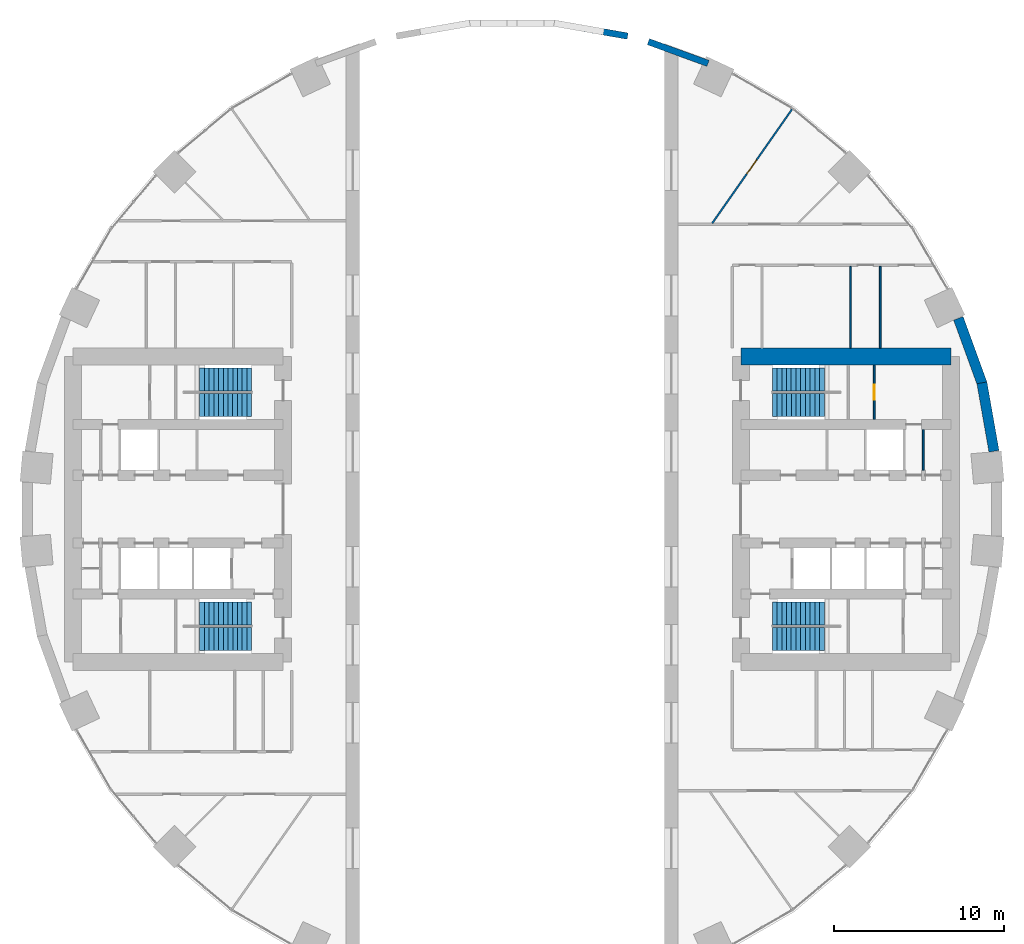
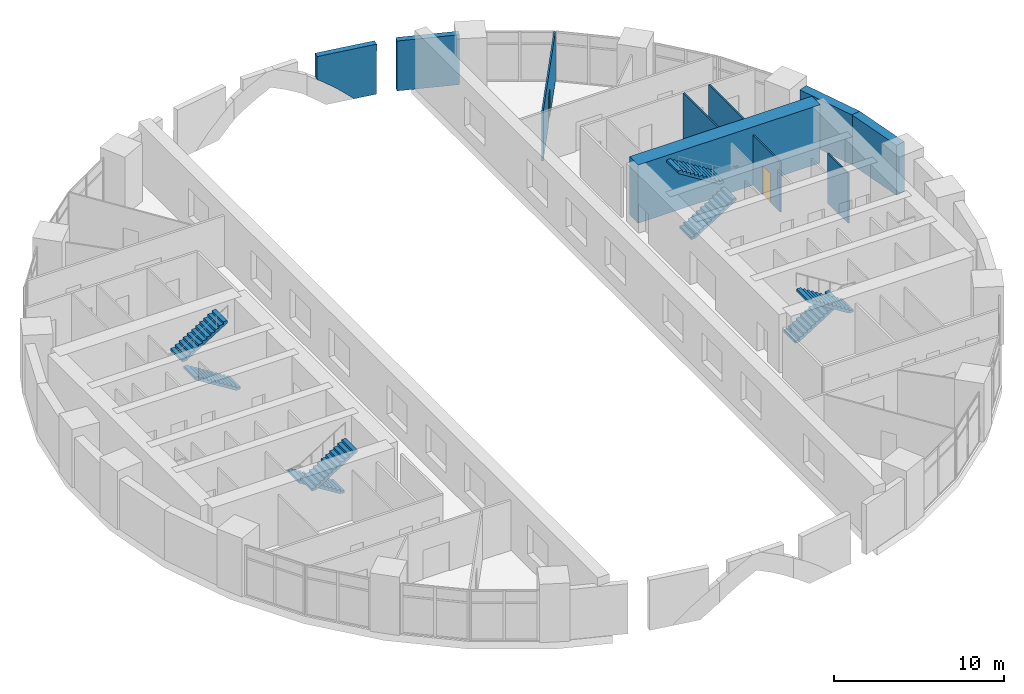
# One storey, part 14 of 15: 10 walls, 8 stair flights, 2 doors, 2 openings, 4 elements without a shape of their own.
"""IFC4 building model written with IfcOpenShell, lengths in metres."""

from ifc_helpers import new_model, si_unit, direction, frame, frame_2d, origin, place, context, subcontext, project, spatial, polyline, rectangle, outline, extrude, material, layer, layer_set, type_object, element, fill, aggregate, save


model = new_model("IFC4")

# Units and contexts
model_context = context("Model", 3, precision=1e-05, world=origin(), true_north=direction((0.0, 1.0)))
body_context = subcontext(model_context, "Body", "Model", "MODEL_VIEW")
ifc_project = project(units=[si_unit("LENGTHUNIT", "METRE"), si_unit("AREAUNIT", "SQUARE_METRE"), si_unit("VOLUMEUNIT", "CUBIC_METRE"), si_unit("PLANEANGLEUNIT", "RADIAN"), si_unit("MASSUNIT", "GRAM", prefix="KILO")], contexts=[model_context])

# Site, building, storey
site_placement = place(None, origin())
site = spatial("IfcSite", under=ifc_project, at=site_placement, CompositionType="ELEMENT")
building_placement = place(site_placement, origin())
building = spatial("IfcBuilding", under=site, at=building_placement, Name="Saqina Gate Tower", CompositionType="ELEMENT")
storey_placement = place(building_placement, frame((0.0, 0.0, 17.60009765625)))
storey = spatial("IfcBuildingStorey", under=building, at=storey_placement, Name="L04", CompositionType="ELEMENT", Elevation=17.60009765625)

# Wall
ifc_material_1 = material(Name="Gypsum board on steel studs", Category="steel")
ifc_layer_1 = layer(ifc_material_1, 0.10009765625)
ifc_layer_set_1 = layer_set([ifc_layer_1], Name="CORE PARTITION")
wall_type_1 = type_object("IfcWallType", Name="CORE PARTITION", PredefinedType="PARTITIONING", material=ifc_layer_set_1)
wall_1_placement = place(storey_placement, frame((24.260009765625, 2.300048828125, 0.0), z_axis=(0.0, 0.0, 1.0), x_axis=(0.0, 1.0, 0.0)))
element("IfcWall", 1, at=wall_1_placement, inside=storey, type_object=wall_type_1, Name="L04-CP-E04", PredefinedType="PARTITIONING", context=body_context, shape_type="SweptSolid", body=[
    extrude(rectangle(XDim=2.39990234375, YDim=0.10009765625, at=frame_2d((1.199951171875, 0.0))), origin(), (0.0, 0.0, 1.0), 3.599853515625),
])

# Wall, opening, door
wall_2_placement = place(storey_placement, frame((21.370361328125, 5.300048828125, 0.0), z_axis=(0.0, 0.0, 1.0), x_axis=(0.0, 1.0, 0.0)))
wall_2 = element("IfcWall", 2, at=wall_2_placement, inside=storey, type_object=wall_type_1, Name="L04-CP-E12", PredefinedType="PARTITIONING", context=body_context, shape_type="SweptSolid", body=[
    extrude(rectangle(XDim=3.199951171875, YDim=0.10009765625, at=frame_2d((1.60009765625, 0.0))), origin(), (0.0, 0.0, 1.0), 3.599853515625),
])
opening_1_placement = place(wall_2_placement, frame((1.14990234375, 0.0, 0.0)))
opening_1 = element("IfcOpeningElement", 3, at=opening_1_placement, cuts=wall_2, Name="Opening L04-D97", PredefinedType="OPENING", context=body_context, shape_type="SweptSolid", body=[
    extrude(rectangle(XDim=0.89990234375, YDim=2.10009765625, at=frame_2d((0.449951171875, 1.050048828125))), frame((0.0, 0.06201171875, 0.0), z_axis=(0.0, -1.0, 0.0), x_axis=(1.0, 0.0, 0.0)), (0.0, 0.0, 1.0), 0.1240234375),
])
ifc_material_2 = material(Name="Steel-framed fire door leaf, EI 60", Category="steel")
door_type_1 = type_object("IfcDoorType", Name="SERVICE ROOM DOOR 900", OperationType="SINGLE_SWING_LEFT", PredefinedType="DOOR", material=ifc_material_2)
door_1_placement = place(opening_1_placement, frame((0.89990234375, 0.0, 0.0), z_axis=(0.0, 0.0, 1.0), x_axis=(-1.0, 0.0, 0.0)))
door_1 = element("IfcDoor", 4, at=door_1_placement, inside=storey, type_object=door_type_1, Name="L04-CD-E08", OperationType="SINGLE_SWING_RIGHT", OverallHeight=2.10009765625, OverallWidth=0.89990234375, PredefinedType="DOOR", context=body_context, shape_type="SweptSolid", body=[
    extrude(rectangle(XDim=0.89990234375, YDim=2.10009765625, at=frame_2d((0.449951171875, 1.050048828125))), frame((0.0, 0.02490234375, 0.0), z_axis=(0.0, -1.0, 0.0), x_axis=(1.0, 0.0, 0.0)), (0.0, 0.0, 1.0), 0.050048828125),
])
fill(opening_1, door_1)

# Walls
ifc_material_3 = material(Name="Glazed ceramic tile", Category="ceramic")
ifc_layer_2 = layer(ifc_material_3, 0.3798828125)
ifc_layer_set_2 = layer_set([ifc_layer_2], Name="FW-ARCH")
wall_type_2 = type_object("IfcWallType", Name="FW-ARCH", PredefinedType="SOLIDWALL", material=ifc_layer_set_2)
wall_3_placement = place(storey_placement, frame((11.628662109375, 26.473876953125, 0.0), z_axis=(0.342019741746, 0.939690603584, 0.002016380761), x_axis=(-0.00067819462, -0.001898944936, 0.999997967028)))
element("IfcWall", 5, at=wall_3_placement, inside=storey, type_object=wall_type_2, Name="Arch frame wall L04 facet 7", PredefinedType="SOLIDWALL", context=body_context, shape_type="SweptSolid", body=[
    extrude(outline(polyline([(0.0, 0.0), (3.5998608340411793, -1.4230153513872246e-19), (3.599815201610212, -3.745407351597063), (-4.563243096721795e-05, -3.745407351597063), (0.0, 0.0)])), origin(), (0.0, 0.0, -1.0), 0.3798828125),
])
wall_4_placement = place(storey_placement, frame((6.854736328125, 28.0908203125, 0.0), z_axis=(0.173672690752, 0.984801379136, 0.002010009421), x_axis=(-0.000341570614, -0.001980789136, 0.9999979799)))
element("IfcWall", 6, at=wall_4_placement, inside=storey, type_object=wall_type_2, Name="Arch frame wall L04 facet 8", PredefinedType="SOLIDWALL", context=body_context, shape_type="SweptSolid", body=[
    extrude(outline(polyline([(0.0, 0.0), (3.5998606846587617, 1.0164395367051604e-20), (3.5998322731805805, -3.74537946137075), (1.937719318749974, -3.7454795278198993), (1.6879658116878937, -3.3801436842777988), (0.9457840956951467, -2.444287990575443), (0.13939246083521384, -1.5642670981338844), (-1.0861217886121014e-05, -1.4326541737841376), (0.0, 0.0)])), origin(), (0.0, 0.0, -1.0), 0.3798828125),
])
ifc_material_4 = material(Name="Glazed ceramic tile", Category="ceramic")
ifc_layer_3 = layer(ifc_material_4, 0.60009765625)
ifc_layer_set_3 = layer_set([ifc_layer_3], Name="FW-TILE")
wall_type_3 = type_object("IfcWallType", Name="FW-TILE", PredefinedType="SOLIDWALL", material=ifc_layer_set_3)
wall_5_placement = place(storey_placement, frame((28.42822265625, 3.416748046875, 0.0), z_axis=(0.0, 0.0, 1.0), x_axis=(-0.173673210505, 0.984803338719, 0.0)))
element("IfcWall", 7, at=wall_5_placement, inside=storey, type_object=wall_type_3, Name="Facade wall L04 facet 1", PredefinedType="SOLIDWALL", context=body_context, shape_type="SweptSolid", body=[
    extrude(rectangle(XDim=4.09912109375, YDim=0.60009765625, at=frame_2d((2.049560546875, 0.0))), origin(), (0.0, 0.0, 1.0), 3.599853515625),
])
ifc_material_5 = material(Name="Glazed ceramic tile (dark blue)", Category="ceramic")
ifc_layer_4 = layer(ifc_material_5, 0.60009765625)
ifc_layer_set_4 = layer_set([ifc_layer_4], Name="FW-TILE-CB")
wall_type_4 = type_object("IfcWallType", Name="FW-TILE-CB", PredefinedType="SOLIDWALL", material=ifc_layer_set_4)
wall_6_placement = place(storey_placement, frame((27.72998046875, 7.403076171875, 0.0), z_axis=(0.0, 0.0, 1.0), x_axis=(-0.342034744565, 0.939687306241, 0.0)))
element("IfcWall", 8, at=wall_6_placement, inside=storey, type_object=wall_type_4, Name="Facade wall L04 facet 2", PredefinedType="SOLIDWALL", context=body_context, shape_type="SweptSolid", body=[
    extrude(rectangle(XDim=4.099365234375, YDim=0.60009765625, at=frame_2d((2.0498046875, 0.0))), origin(), (0.0, 0.0, 1.0), 3.599853515625),
])

# Wall, opening, door
ifc_material_6 = material(Name="Gypsum board on steel studs, 100 mm", Category="steel")
ifc_layer_5 = layer(ifc_material_6, 0.10009765625)
ifc_layer_set_5 = layer_set([ifc_layer_5], Name="SPECIAL PARTITION 100")
wall_type_5 = type_object("IfcWallType", Name="SPECIAL PARTITION 100", PredefinedType="PARTITIONING", material=ifc_layer_set_5)
wall_7_placement = place(storey_placement, frame((11.805908203125, 16.861328125, 0.0), z_axis=(0.0, 0.0, 1.0), x_axis=(0.573651788308, 0.819099277115, 0.0)))
wall_7 = element("IfcWall", 9, at=wall_7_placement, inside=storey, type_object=wall_type_5, Name="PARTITION 016", PredefinedType="PARTITIONING", context=body_context, shape_type="SweptSolid", body=[
    extrude(rectangle(XDim=8.216064453125, YDim=0.10009765625, at=frame_2d((4.10791015625, 0.0))), origin(), (0.0, 0.0, 1.0), 3.599853515625),
])
opening_2_placement = place(wall_7_placement, frame((3.5703125, 0.0, 0.0)))
opening_2 = element("IfcOpeningElement", 10, at=opening_2_placement, cuts=wall_7, Name="Opening L04-D07", PredefinedType="OPENING", context=body_context, shape_type="SweptSolid", body=[
    extrude(rectangle(XDim=1.0, YDim=2.10009765625, at=frame_2d((0.5, 1.050048828125))), frame((0.0, 0.06201171875, 0.0), z_axis=(0.0, -1.0, 0.0), x_axis=(1.0, 0.0, 0.0)), (0.0, 0.0, 1.0), 0.1240234375),
])
ifc_material_7 = material(Name="Timber door leaf", Category="wood")
door_type_2 = type_object("IfcDoorType", Name="SPECIAL DOOR 1000 TIMBER", OperationType="SINGLE_SWING_LEFT", PredefinedType="DOOR", material=ifc_material_7)
door_2_placement = place(opening_2_placement, origin())
door_2 = element("IfcDoor", 11, at=door_2_placement, inside=storey, type_object=door_type_2, Name="DOOR L04-D07", OperationType="SINGLE_SWING_LEFT", OverallHeight=2.10009765625, OverallWidth=1.0, PredefinedType="DOOR", context=body_context, shape_type="SweptSolid", body=[
    extrude(rectangle(XDim=1.0, YDim=2.10009765625, at=frame_2d((0.5, 1.050048828125))), frame((0.0, 0.02490234375, 0.0), z_axis=(0.0, -1.0, 0.0), x_axis=(1.0, 0.0, 0.0)), (0.0, 0.0, 1.0), 0.050048828125),
])
fill(opening_2, door_2)

# Walls
for number, where, z_axis, x_axis, name in (
    (12, (21.714111328125, 9.5, 0.0), (0.0, 0.0, 1.0), (0.0, 1.0, 0.0), "PARTITION 017"),
    (13, (19.970947265625, 9.5, 0.0), (0.0, 0.0, 1.0), (0.0, 1.0, 0.0), "PARTITION 019"),
):
    element("IfcWall", number, at=place(storey_placement, frame(where, z_axis=z_axis, x_axis=x_axis)), inside=storey, type_object=wall_type_5, Name=name, PredefinedType="PARTITIONING", context=body_context, shape_type="SweptSolid", body=[
        extrude(rectangle(XDim=4.824951171875, YDim=0.10009765625, at=frame_2d((2.41259765625, 0.0))), origin(), (0.0, 0.0, 1.0), 3.599853515625),
    ])
ifc_material_8 = material(Name="Concrete C70/85", Category="concrete")
ifc_layer_6 = layer(ifc_material_8, 1.0)
ifc_layer_set_6 = layer_set([ifc_layer_6], Name="Concrete C70/85")
wall_type_6 = type_object("IfcWallType", Name="STR-CORE WALL-P-O", PredefinedType="SHEAR", material=ifc_layer_set_6)
wall_8_placement = place(storey_placement, frame((13.5, 9.0, 0.0), z_axis=(0.0, 0.0, 1.0), x_axis=(1.0, 0.0, 0.0)))
element("IfcWall", 14, at=wall_8_placement, inside=storey, type_object=wall_type_6, Name="CORE WALL L04 E-NE", PredefinedType="SHEAR", context=body_context, shape_type="SweptSolid", body=[
    extrude(rectangle(XDim=12.39990234375, YDim=1.0, at=frame_2d((6.199951171875, 0.0))), origin(), (0.0, 0.0, 1.0), 4.199951171875),
])

# Stair, stair flights
ifc_material_9 = material(Name="Concrete C40/50", Category="concrete")
stair_type = type_object("IfcStairType", Name="EXIT STAIR", PredefinedType="HALF_TURN_STAIR", material=ifc_material_9)
stair_1_placement = place(storey_placement, origin())
stair_1 = element("IfcStair", 15, at=stair_1_placement, inside=storey, type_object=stair_type, Name="EXIT STAIR 1", PredefinedType="HALF_TURN_STAIR")
ifc_material_10 = material(Name="Concrete C40/50", Category="concrete")
stair_flight_type = type_object("IfcStairFlightType", Name="EXIT STAIR FLIGHT", PredefinedType="STRAIGHT", material=ifc_material_10)
stair_flight_1_placement = place(storey_placement, frame((15.35009765625, 6.1416015625, 0.0), z_axis=(0.0, 0.0, 1.0), x_axis=(1.0, 0.0, 0.0)))
stair_flight_1 = element("IfcStairFlight", 16, at=stair_flight_1_placement, type_object=stair_flight_type, Name="EXIT STAIR 1 FLIGHT 1", NumberOfRisers=12, NumberOfTreads=11, PredefinedType="STRAIGHT", RiserHeight=0.175, TreadLength=0.28, context=body_context, shape_type="SweptSolid", body=[
    extrude(outline(polyline([(0.0, 0.0), (0.0, 0.175048828125), (0.280029296875, 0.175048828125), (0.280029296875, 0.35009765625), (0.56005859375, 0.35009765625), (0.56005859375, 0.52490234375), (0.840087890625, 0.52490234375), (0.840087890625, 0.699951171875), (1.1201171875, 0.699951171875), (1.1201171875, 0.875), (1.39990234375, 0.875), (1.39990234375, 1.050048828125), (1.679931640625, 1.050048828125), (1.679931640625, 1.22509765625), (1.9599609375, 1.22509765625), (1.9599609375, 1.39990234375), (2.239990234375, 1.39990234375), (2.239990234375, 1.574951171875), (2.52001953125, 1.574951171875), (2.52001953125, 1.75), (2.800048828125, 1.75), (2.800048828125, 1.925048828125), (3.080078125, 1.925048828125), (3.080078125, 2.10009765625), (3.080078125, 1.748291015625), (0.28271484375, 0.0), (0.0, 0.0)])), frame((0.0, 0.675048828125, 0.0), z_axis=(0.0, -1.0, 0.0), x_axis=(1.0, 0.0, 0.0)), (0.0, 0.0, 1.0), 1.35009765625),
])
stair_flight_2_placement = place(storey_placement, frame((18.429931640625, 7.658447265625, 2.099853515625), z_axis=(0.0, 0.0, 1.0), x_axis=(-1.0, 0.0, 0.0)))
stair_flight_2 = element("IfcStairFlight", 17, at=stair_flight_2_placement, type_object=stair_flight_type, Name="EXIT STAIR 1 FLIGHT 2", NumberOfRisers=12, NumberOfTreads=11, PredefinedType="STRAIGHT", RiserHeight=0.175, TreadLength=0.28, context=body_context, shape_type="SweptSolid", body=[
    extrude(outline(polyline([(0.0, 0.0), (0.0, 0.175048828125), (0.280029296875, 0.175048828125), (0.280029296875, 0.35009765625), (0.56005859375, 0.35009765625), (0.56005859375, 0.52490234375), (0.840087890625, 0.52490234375), (0.840087890625, 0.699951171875), (1.1201171875, 0.699951171875), (1.1201171875, 0.875), (1.39990234375, 0.875), (1.39990234375, 1.050048828125), (1.679931640625, 1.050048828125), (1.679931640625, 1.22509765625), (1.9599609375, 1.22509765625), (1.9599609375, 1.39990234375), (2.239990234375, 1.39990234375), (2.239990234375, 1.574951171875), (2.52001953125, 1.574951171875), (2.52001953125, 1.75), (2.800048828125, 1.75), (2.800048828125, 1.925048828125), (3.080078125, 1.925048828125), (3.080078125, 2.10009765625), (3.080078125, 1.748291015625), (0.28271484375, 0.0), (0.0, 0.0)])), frame((0.0, 0.675048828125, 0.0), z_axis=(0.0, -1.0, 0.0), x_axis=(1.0, 0.0, 0.0)), (0.0, 0.0, 1.0), 1.35009765625),
])
aggregate(stair_1, [stair_flight_1, stair_flight_2])

stair_2_placement = place(storey_placement, origin())
stair_2 = element("IfcStair", 18, at=stair_2_placement, inside=storey, type_object=stair_type, Name="EXIT STAIR 2", PredefinedType="HALF_TURN_STAIR")
stair_flight_3_placement = place(storey_placement, frame((15.35009765625, -6.1416015625, 0.0), z_axis=(0.0, 0.0, 1.0), x_axis=(1.0, 0.0, 0.0)))
stair_flight_3 = element("IfcStairFlight", 19, at=stair_flight_3_placement, type_object=stair_flight_type, Name="EXIT STAIR 2 FLIGHT 1", NumberOfRisers=12, NumberOfTreads=11, PredefinedType="STRAIGHT", RiserHeight=0.175, TreadLength=0.28, context=body_context, shape_type="SweptSolid", body=[
    extrude(outline(polyline([(0.0, 0.0), (0.0, 0.175048828125), (0.280029296875, 0.175048828125), (0.280029296875, 0.35009765625), (0.56005859375, 0.35009765625), (0.56005859375, 0.52490234375), (0.840087890625, 0.52490234375), (0.840087890625, 0.699951171875), (1.1201171875, 0.699951171875), (1.1201171875, 0.875), (1.39990234375, 0.875), (1.39990234375, 1.050048828125), (1.679931640625, 1.050048828125), (1.679931640625, 1.22509765625), (1.9599609375, 1.22509765625), (1.9599609375, 1.39990234375), (2.239990234375, 1.39990234375), (2.239990234375, 1.574951171875), (2.52001953125, 1.574951171875), (2.52001953125, 1.75), (2.800048828125, 1.75), (2.800048828125, 1.925048828125), (3.080078125, 1.925048828125), (3.080078125, 2.10009765625), (3.080078125, 1.748291015625), (0.28271484375, 0.0), (0.0, 0.0)])), frame((0.0, 0.675048828125, 0.0), z_axis=(0.0, -1.0, 0.0), x_axis=(1.0, 0.0, 0.0)), (0.0, 0.0, 1.0), 1.35009765625),
])
stair_flight_4_placement = place(storey_placement, frame((18.429931640625, -7.658447265625, 2.099853515625), z_axis=(0.0, 0.0, 1.0), x_axis=(-1.0, 0.0, 0.0)))
stair_flight_4 = element("IfcStairFlight", 20, at=stair_flight_4_placement, type_object=stair_flight_type, Name="EXIT STAIR 2 FLIGHT 2", NumberOfRisers=12, NumberOfTreads=11, PredefinedType="STRAIGHT", RiserHeight=0.175, TreadLength=0.28, context=body_context, shape_type="SweptSolid", body=[
    extrude(outline(polyline([(0.0, 0.0), (0.0, 0.175048828125), (0.280029296875, 0.175048828125), (0.280029296875, 0.35009765625), (0.56005859375, 0.35009765625), (0.56005859375, 0.52490234375), (0.840087890625, 0.52490234375), (0.840087890625, 0.699951171875), (1.1201171875, 0.699951171875), (1.1201171875, 0.875), (1.39990234375, 0.875), (1.39990234375, 1.050048828125), (1.679931640625, 1.050048828125), (1.679931640625, 1.22509765625), (1.9599609375, 1.22509765625), (1.9599609375, 1.39990234375), (2.239990234375, 1.39990234375), (2.239990234375, 1.574951171875), (2.52001953125, 1.574951171875), (2.52001953125, 1.75), (2.800048828125, 1.75), (2.800048828125, 1.925048828125), (3.080078125, 1.925048828125), (3.080078125, 2.10009765625), (3.080078125, 1.748291015625), (0.28271484375, 0.0), (0.0, 0.0)])), frame((0.0, 0.675048828125, 0.0), z_axis=(0.0, -1.0, 0.0), x_axis=(1.0, 0.0, 0.0)), (0.0, 0.0, 1.0), 1.35009765625),
])
aggregate(stair_2, [stair_flight_3, stair_flight_4])

stair_3_placement = place(storey_placement, origin())
stair_3 = element("IfcStair", 21, at=stair_3_placement, inside=storey, type_object=stair_type, Name="EXIT STAIR 3", PredefinedType="HALF_TURN_STAIR")
stair_flight_5_placement = place(storey_placement, frame((-15.35009765625, 6.1416015625, 0.0), z_axis=(0.0, 0.0, 1.0), x_axis=(-1.0, 0.0, 0.0)))
stair_flight_5 = element("IfcStairFlight", 22, at=stair_flight_5_placement, type_object=stair_flight_type, Name="EXIT STAIR 3 FLIGHT 1", NumberOfRisers=12, NumberOfTreads=11, PredefinedType="STRAIGHT", RiserHeight=0.175, TreadLength=0.28, context=body_context, shape_type="SweptSolid", body=[
    extrude(outline(polyline([(0.0, 0.0), (0.0, 0.175048828125), (0.280029296875, 0.175048828125), (0.280029296875, 0.35009765625), (0.56005859375, 0.35009765625), (0.56005859375, 0.52490234375), (0.840087890625, 0.52490234375), (0.840087890625, 0.699951171875), (1.1201171875, 0.699951171875), (1.1201171875, 0.875), (1.39990234375, 0.875), (1.39990234375, 1.050048828125), (1.679931640625, 1.050048828125), (1.679931640625, 1.22509765625), (1.9599609375, 1.22509765625), (1.9599609375, 1.39990234375), (2.239990234375, 1.39990234375), (2.239990234375, 1.574951171875), (2.52001953125, 1.574951171875), (2.52001953125, 1.75), (2.800048828125, 1.75), (2.800048828125, 1.925048828125), (3.080078125, 1.925048828125), (3.080078125, 2.10009765625), (3.080078125, 1.748291015625), (0.28271484375, 0.0), (0.0, 0.0)])), frame((0.0, 0.675048828125, 0.0), z_axis=(0.0, -1.0, 0.0), x_axis=(1.0, 0.0, 0.0)), (0.0, 0.0, 1.0), 1.35009765625),
])
stair_flight_6_placement = place(storey_placement, frame((-18.429931640625, 7.658447265625, 2.099853515625), z_axis=(0.0, 0.0, 1.0), x_axis=(1.0, 0.0, 0.0)))
stair_flight_6 = element("IfcStairFlight", 23, at=stair_flight_6_placement, type_object=stair_flight_type, Name="EXIT STAIR 3 FLIGHT 2", NumberOfRisers=12, NumberOfTreads=11, PredefinedType="STRAIGHT", RiserHeight=0.175, TreadLength=0.28, context=body_context, shape_type="SweptSolid", body=[
    extrude(outline(polyline([(0.0, 0.0), (0.0, 0.175048828125), (0.280029296875, 0.175048828125), (0.280029296875, 0.35009765625), (0.56005859375, 0.35009765625), (0.56005859375, 0.52490234375), (0.840087890625, 0.52490234375), (0.840087890625, 0.699951171875), (1.1201171875, 0.699951171875), (1.1201171875, 0.875), (1.39990234375, 0.875), (1.39990234375, 1.050048828125), (1.679931640625, 1.050048828125), (1.679931640625, 1.22509765625), (1.9599609375, 1.22509765625), (1.9599609375, 1.39990234375), (2.239990234375, 1.39990234375), (2.239990234375, 1.574951171875), (2.52001953125, 1.574951171875), (2.52001953125, 1.75), (2.800048828125, 1.75), (2.800048828125, 1.925048828125), (3.080078125, 1.925048828125), (3.080078125, 2.10009765625), (3.080078125, 1.748291015625), (0.28271484375, 0.0), (0.0, 0.0)])), frame((0.0, 0.675048828125, 0.0), z_axis=(0.0, -1.0, 0.0), x_axis=(1.0, 0.0, 0.0)), (0.0, 0.0, 1.0), 1.35009765625),
])
aggregate(stair_3, [stair_flight_5, stair_flight_6])

stair_4_placement = place(storey_placement, origin())
stair_4 = element("IfcStair", 24, at=stair_4_placement, inside=storey, type_object=stair_type, Name="EXIT STAIR 4", PredefinedType="HALF_TURN_STAIR")
stair_flight_7_placement = place(storey_placement, frame((-15.35009765625, -6.1416015625, 0.0), z_axis=(0.0, 0.0, 1.0), x_axis=(-1.0, 0.0, 0.0)))
stair_flight_7 = element("IfcStairFlight", 25, at=stair_flight_7_placement, type_object=stair_flight_type, Name="EXIT STAIR 4 FLIGHT 1", NumberOfRisers=12, NumberOfTreads=11, PredefinedType="STRAIGHT", RiserHeight=0.175, TreadLength=0.28, context=body_context, shape_type="SweptSolid", body=[
    extrude(outline(polyline([(0.0, 0.0), (0.0, 0.175048828125), (0.280029296875, 0.175048828125), (0.280029296875, 0.35009765625), (0.56005859375, 0.35009765625), (0.56005859375, 0.52490234375), (0.840087890625, 0.52490234375), (0.840087890625, 0.699951171875), (1.1201171875, 0.699951171875), (1.1201171875, 0.875), (1.39990234375, 0.875), (1.39990234375, 1.050048828125), (1.679931640625, 1.050048828125), (1.679931640625, 1.22509765625), (1.9599609375, 1.22509765625), (1.9599609375, 1.39990234375), (2.239990234375, 1.39990234375), (2.239990234375, 1.574951171875), (2.52001953125, 1.574951171875), (2.52001953125, 1.75), (2.800048828125, 1.75), (2.800048828125, 1.925048828125), (3.080078125, 1.925048828125), (3.080078125, 2.10009765625), (3.080078125, 1.748291015625), (0.28271484375, 0.0), (0.0, 0.0)])), frame((0.0, 0.675048828125, 0.0), z_axis=(0.0, -1.0, 0.0), x_axis=(1.0, 0.0, 0.0)), (0.0, 0.0, 1.0), 1.35009765625),
])
stair_flight_8_placement = place(storey_placement, frame((-18.429931640625, -7.658447265625, 2.099853515625), z_axis=(0.0, 0.0, 1.0), x_axis=(1.0, 0.0, 0.0)))
stair_flight_8 = element("IfcStairFlight", 26, at=stair_flight_8_placement, type_object=stair_flight_type, Name="EXIT STAIR 4 FLIGHT 2", NumberOfRisers=12, NumberOfTreads=11, PredefinedType="STRAIGHT", RiserHeight=0.175, TreadLength=0.28, context=body_context, shape_type="SweptSolid", body=[
    extrude(outline(polyline([(0.0, 0.0), (0.0, 0.175048828125), (0.280029296875, 0.175048828125), (0.280029296875, 0.35009765625), (0.56005859375, 0.35009765625), (0.56005859375, 0.52490234375), (0.840087890625, 0.52490234375), (0.840087890625, 0.699951171875), (1.1201171875, 0.699951171875), (1.1201171875, 0.875), (1.39990234375, 0.875), (1.39990234375, 1.050048828125), (1.679931640625, 1.050048828125), (1.679931640625, 1.22509765625), (1.9599609375, 1.22509765625), (1.9599609375, 1.39990234375), (2.239990234375, 1.39990234375), (2.239990234375, 1.574951171875), (2.52001953125, 1.574951171875), (2.52001953125, 1.75), (2.800048828125, 1.75), (2.800048828125, 1.925048828125), (3.080078125, 1.925048828125), (3.080078125, 2.10009765625), (3.080078125, 1.748291015625), (0.28271484375, 0.0), (0.0, 0.0)])), frame((0.0, 0.675048828125, 0.0), z_axis=(0.0, -1.0, 0.0), x_axis=(1.0, 0.0, 0.0)), (0.0, 0.0, 1.0), 1.35009765625),
])
aggregate(stair_4, [stair_flight_7, stair_flight_8])

save(model, "model.ifc")
